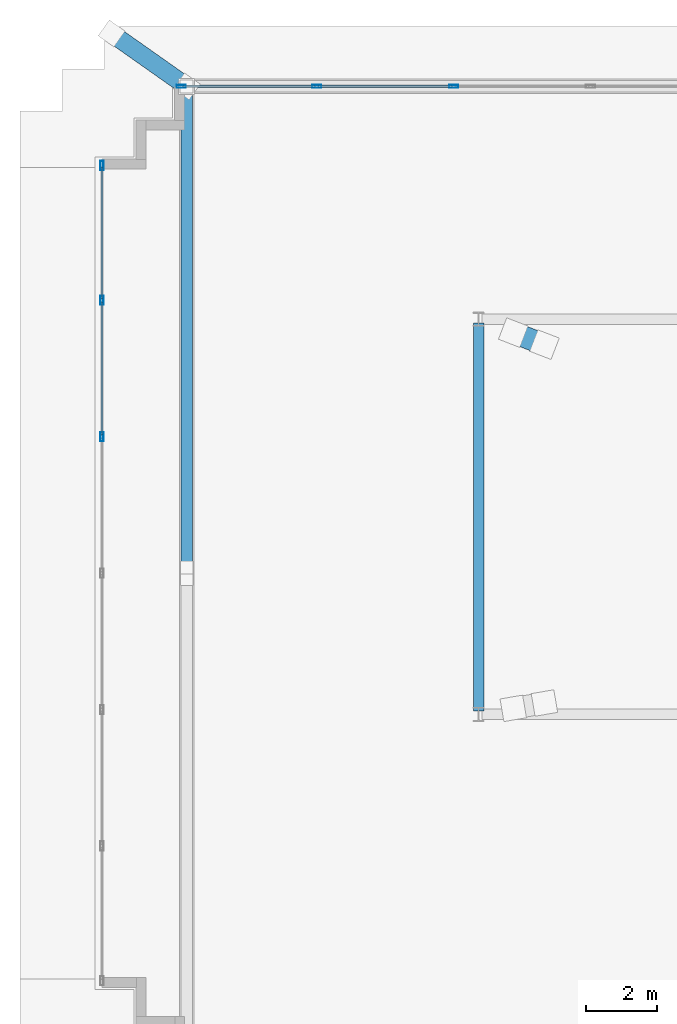
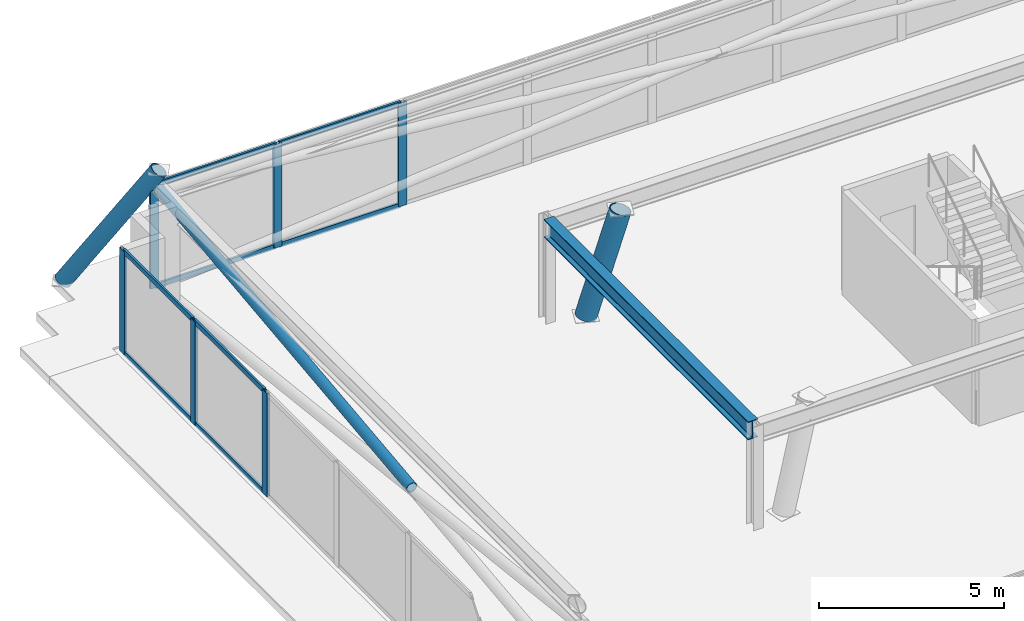
# One storey, part 9 of 22: 17 members, 1 beam, 2 elements without a shape of their own.
"""IFC4 building model written with IfcOpenShell, lengths in metres."""

from ifc_helpers import new_model, si_unit, direction, frame, origin, origin_2d, place, context, subcontext, project, spatial, hollow_rectangle, hollow_circle, i_section, extrude, material, layer, layer_set, material_profile, profile_set, type_object, element, aggregate, save


model = new_model("IFC4")

# Units and contexts
model_context = context("Model", 3, precision=1e-05, world=origin(), true_north=direction((0.0, 1.0)))
body_context = subcontext(model_context, "Body", "Model", "MODEL_VIEW")
ifc_project = project(units=[si_unit("LENGTHUNIT", "METRE"), si_unit("AREAUNIT", "SQUARE_METRE"), si_unit("VOLUMEUNIT", "CUBIC_METRE"), si_unit("PLANEANGLEUNIT", "RADIAN"), si_unit("MASSUNIT", "GRAM", prefix="KILO")], contexts=[model_context])

# Site, building, storey
site_placement = place(None, origin())
site = spatial("IfcSite", under=ifc_project, at=site_placement, CompositionType="ELEMENT")
building_placement = place(site_placement, origin())
building = spatial("IfcBuilding", under=site, at=building_placement, Name="Qobustan Lattice House", CompositionType="ELEMENT")
storey_placement = place(building_placement, frame((0.0, 0.0, 274.0)))
storey = spatial("IfcBuildingStorey", under=building, at=storey_placement, Name="L77", CompositionType="ELEMENT", Elevation=274.0)

# Beam
ifc_material_1 = material(Name="Steel S355", Category="steel")
ifc_material_profile_1 = material_profile(ifc_material_1, i_section(OverallWidth=0.300048828125, OverallDepth=0.60009765625, WebThickness=0.015380859375, FlangeThickness=0.030029296875, FilletRadius=0.027099609375, at=origin_2d()), Name="HEB600")
ifc_profile_set_1 = profile_set([ifc_material_profile_1], Name="Steel S355")
beam_type = type_object("IfcBeamType", Name="BM-POD-HEB600", PredefinedType="USERDEFINED", material=ifc_profile_set_1)
beam_placement = place(storey_placement, frame((-9.199951171875, 5.5, 3.10009765625), z_axis=(0.0, -1.0, 0.0), x_axis=(1.0, 0.0, 0.0)))
element("IfcBeam", 1, at=beam_placement, inside=storey, type_object=beam_type, Name="L77 crown support ring girder 4", ObjectType="GIRDER", PredefinedType="USERDEFINED", context=body_context, shape_type="SweptSolid", body=[
    extrude(i_section(OverallWidth=0.300048828125, OverallDepth=0.60009765625, WebThickness=0.015380859375, FlangeThickness=0.030029296875, FilletRadius=0.027099609375, at=origin_2d()), origin(), (0.0, 0.0, 1.0), 11.0),
])

# Curtain wall, members
ifc_material_2 = material(Name="Anodised aluminium and low-E glazing", Category="aluminium")
ifc_layer = layer(ifc_material_2, 0.219970703125)
ifc_layer_set = layer_set([ifc_layer], Name="Anodised aluminium and low-E glazing")
curtain_wall_type = type_object("IfcCurtainWallType", Name="CW-CRN-01", PredefinedType="USERDEFINED", material=ifc_layer_set)
curtain_wall_1_placement = place(storey_placement, origin())
curtain_wall_1 = element("IfcCurtainWall", 2, at=curtain_wall_1_placement, inside=storey, type_object=curtain_wall_type, Name="L77 glass-point crown faceted curtain wall 5", ObjectType="CURTAIN WALL", PredefinedType="USERDEFINED")
ifc_material_3 = material(Name="Anodised aluminium EN AW-6063 T6", Category="aluminium")
ifc_material_profile_2 = material_profile(ifc_material_3, hollow_rectangle(XDim=0.090087890625, YDim=0.260009765625, WallThickness=0.006103515625, at=origin_2d()), Name="CWM-CROWN-260x90")
ifc_profile_set_2 = profile_set([ifc_material_profile_2], Name="Anodised aluminium EN AW-6063 T6")
member_type_1 = type_object("IfcMemberType", Name="CWM-CRN-260", PredefinedType="MULLION", material=ifc_profile_set_2)
member_1_placement = place(storey_placement, frame((-19.87353515625, 2.26708984375, 0.0), z_axis=(0.0, 0.0, 1.0), x_axis=(-1.0, 0.0, 0.0)))
member_1 = element("IfcMember", 3, at=member_1_placement, type_object=member_type_1, Name="CW-CR mullion 5", PredefinedType="MULLION", context=body_context, shape_type="SweptSolid", body=[
    extrude(hollow_rectangle(XDim=0.090087890625, YDim=0.260009765625, WallThickness=0.006103515625, at=origin_2d()), origin(), (0.0, 0.0, 1.0), 3.39990234375),
])
member_2_placement = place(storey_placement, frame((-19.87353515625, 6.13427734375, 0.0), z_axis=(0.0, 0.0, 1.0), x_axis=(-1.0, 0.0, 0.0)))
member_2 = element("IfcMember", 4, at=member_2_placement, type_object=member_type_1, Name="CW-CR mullion 6", PredefinedType="MULLION", context=body_context, shape_type="SweptSolid", body=[
    extrude(hollow_rectangle(XDim=0.090087890625, YDim=0.260009765625, WallThickness=0.006103515625, at=origin_2d()), origin(), (0.0, 0.0, 1.0), 3.39990234375),
])
member_3_placement = place(storey_placement, frame((-19.87353515625, 9.95654296875, 0.0), z_axis=(0.0, 0.0, 1.0), x_axis=(-1.0, 0.0, 0.0)))
member_3 = element("IfcMember", 5, at=member_3_placement, type_object=member_type_1, Name="CW-CR mullion 7", PredefinedType="MULLION", context=body_context, shape_type="SweptSolid", body=[
    extrude(hollow_rectangle(XDim=0.090087890625, YDim=0.260009765625, WallThickness=0.006103515625, at=origin_2d()), origin(), (0.0, 0.0, 1.0), 3.39990234375),
])

curtain_wall_2_placement = place(storey_placement, origin())
curtain_wall_2 = element("IfcCurtainWall", 6, at=curtain_wall_2_placement, inside=storey, type_object=curtain_wall_type, Name="L77 glass-point crown faceted curtain wall 10", ObjectType="CURTAIN WALL", PredefinedType="USERDEFINED")
member_4_placement = place(storey_placement, frame((-17.62841796875, 12.201416015625, 0.0), z_axis=(0.0, 0.0, 1.0), x_axis=(0.0, 1.0, 0.0)))
member_4 = element("IfcMember", 7, at=member_4_placement, type_object=member_type_1, Name="CW-CR mullion 1", PredefinedType="MULLION", context=body_context, shape_type="SweptSolid", body=[
    extrude(hollow_rectangle(XDim=0.090087890625, YDim=0.260009765625, WallThickness=0.006103515625, at=origin_2d()), origin(), (0.0, 0.0, 1.0), 3.39990234375),
])
member_5_placement = place(storey_placement, frame((-13.79052734375, 12.201416015625, 0.0), z_axis=(0.0, 0.0, 1.0), x_axis=(0.0, 1.0, 0.0)))
member_5 = element("IfcMember", 8, at=member_5_placement, type_object=member_type_1, Name="CW-CR mullion 2", PredefinedType="MULLION", context=body_context, shape_type="SweptSolid", body=[
    extrude(hollow_rectangle(XDim=0.090087890625, YDim=0.260009765625, WallThickness=0.006103515625, at=origin_2d()), origin(), (0.0, 0.0, 1.0), 3.39990234375),
])
member_6_placement = place(storey_placement, frame((-9.907470703125, 12.201416015625, 0.0), z_axis=(0.0, 0.0, 1.0), x_axis=(0.0, 1.0, 0.0)))
member_6 = element("IfcMember", 9, at=member_6_placement, type_object=member_type_1, Name="CW-CR mullion 3", PredefinedType="MULLION", context=body_context, shape_type="SweptSolid", body=[
    extrude(hollow_rectangle(XDim=0.090087890625, YDim=0.260009765625, WallThickness=0.006103515625, at=origin_2d()), origin(), (0.0, 0.0, 1.0), 3.39990234375),
])

# Member
ifc_material_4 = material(Name="Anodised aluminium EN AW-6063 T6", Category="aluminium")
ifc_material_profile_3 = material_profile(ifc_material_4, hollow_rectangle(XDim=0.06494140625, YDim=0.159912109375, WallThickness=0.00390625, at=origin_2d()), Name="CWT-160x65")
ifc_profile_set_3 = profile_set([ifc_material_profile_3], Name="Anodised aluminium EN AW-6063 T6")
member_type_2 = type_object("IfcMemberType", Name="CWT-HOR-160", PredefinedType="USERDEFINED", material=ifc_profile_set_3)
member_7_placement = place(storey_placement, frame((-19.87353515625, 2.312255859375, 0.032470703125), z_axis=(0.0, 1.0, 0.0), x_axis=(-1.0, 0.0, 0.0)))
member_7 = element("IfcMember", 10, at=member_7_placement, type_object=member_type_2, Name="CW-CR transom 5.1", ObjectType="TRANSOM", PredefinedType="USERDEFINED", context=body_context, shape_type="SweptSolid", body=[
    extrude(hollow_rectangle(XDim=0.06494140625, YDim=0.159912109375, WallThickness=0.00390625, at=origin_2d()), origin(), (0.0, 0.0, 1.0), 3.777099609375),
])

member_8_placement = place(storey_placement, frame((-19.87353515625, 2.312255859375, 3.367431640625), z_axis=(0.0, 1.0, 0.0), x_axis=(-1.0, 0.0, 0.0)))
member_8 = element("IfcMember", 11, at=member_8_placement, type_object=member_type_2, Name="CW-CR transom 5.2", ObjectType="TRANSOM", PredefinedType="USERDEFINED", context=body_context, shape_type="SweptSolid", body=[
    extrude(hollow_rectangle(XDim=0.06494140625, YDim=0.159912109375, WallThickness=0.00390625, at=origin_2d()), origin(), (0.0, 0.0, 1.0), 3.777099609375),
])

member_9_placement = place(storey_placement, frame((-19.87353515625, 6.179443359375, 0.032470703125), z_axis=(0.0, 1.0, 0.0), x_axis=(-1.0, 0.0, 0.0)))
member_9 = element("IfcMember", 12, at=member_9_placement, type_object=member_type_2, Name="CW-CR transom 6.1", ObjectType="TRANSOM", PredefinedType="USERDEFINED", context=body_context, shape_type="SweptSolid", body=[
    extrude(hollow_rectangle(XDim=0.06494140625, YDim=0.159912109375, WallThickness=0.00390625, at=origin_2d()), origin(), (0.0, 0.0, 1.0), 3.732177734375),
])

member_10_placement = place(storey_placement, frame((-19.87353515625, 6.179443359375, 3.367431640625), z_axis=(0.0, 1.0, 0.0), x_axis=(-1.0, 0.0, 0.0)))
member_10 = element("IfcMember", 13, at=member_10_placement, type_object=member_type_2, Name="CW-CR transom 6.2", ObjectType="TRANSOM", PredefinedType="USERDEFINED", context=body_context, shape_type="SweptSolid", body=[
    extrude(hollow_rectangle(XDim=0.06494140625, YDim=0.159912109375, WallThickness=0.00390625, at=origin_2d()), origin(), (0.0, 0.0, 1.0), 3.732177734375),
])

aggregate(curtain_wall_1, [member_1, member_2, member_3, member_7, member_8, member_9, member_10])

member_11_placement = place(storey_placement, frame((-17.58349609375, 12.201416015625, 0.032470703125), z_axis=(1.0, 0.0, 0.0), x_axis=(0.0, 1.0, 0.0)))
member_11 = element("IfcMember", 14, at=member_11_placement, type_object=member_type_2, Name="CW-CR transom 1.1", ObjectType="TRANSOM", PredefinedType="USERDEFINED", context=body_context, shape_type="SweptSolid", body=[
    extrude(hollow_rectangle(XDim=0.06494140625, YDim=0.159912109375, WallThickness=0.00390625, at=origin_2d()), origin(), (0.0, 0.0, 1.0), 3.748046875),
])

member_12_placement = place(storey_placement, frame((-17.58349609375, 12.201416015625, 3.367431640625), z_axis=(1.0, 0.0, 0.0), x_axis=(0.0, 1.0, 0.0)))
member_12 = element("IfcMember", 15, at=member_12_placement, type_object=member_type_2, Name="CW-CR transom 1.2", ObjectType="TRANSOM", PredefinedType="USERDEFINED", context=body_context, shape_type="SweptSolid", body=[
    extrude(hollow_rectangle(XDim=0.06494140625, YDim=0.159912109375, WallThickness=0.00390625, at=origin_2d()), origin(), (0.0, 0.0, 1.0), 3.748046875),
])

member_13_placement = place(storey_placement, frame((-13.74560546875, 12.201416015625, 0.032470703125), z_axis=(1.0, 0.0, 0.0), x_axis=(0.0, 1.0, 0.0)))
member_13 = element("IfcMember", 16, at=member_13_placement, type_object=member_type_2, Name="CW-CR transom 2.1", ObjectType="TRANSOM", PredefinedType="USERDEFINED", context=body_context, shape_type="SweptSolid", body=[
    extrude(hollow_rectangle(XDim=0.06494140625, YDim=0.159912109375, WallThickness=0.00390625, at=origin_2d()), origin(), (0.0, 0.0, 1.0), 3.793212890625),
])

member_14_placement = place(storey_placement, frame((-13.74560546875, 12.201416015625, 3.367431640625), z_axis=(1.0, 0.0, 0.0), x_axis=(0.0, 1.0, 0.0)))
member_14 = element("IfcMember", 17, at=member_14_placement, type_object=member_type_2, Name="CW-CR transom 2.2", ObjectType="TRANSOM", PredefinedType="USERDEFINED", context=body_context, shape_type="SweptSolid", body=[
    extrude(hollow_rectangle(XDim=0.06494140625, YDim=0.159912109375, WallThickness=0.00390625, at=origin_2d()), origin(), (0.0, 0.0, 1.0), 3.793212890625),
])

aggregate(curtain_wall_2, [member_4, member_5, member_6, member_11, member_12, member_13, member_14])

# Members
ifc_material_5 = material(Name="Steel S355", Category="steel")
ifc_material_profile_4 = material_profile(ifc_material_5, hollow_circle(Radius=0.161865234375, WallThickness=0.012451171875, at=origin_2d()), Name="CHS323.9x12.5")
ifc_profile_set_4 = profile_set([ifc_material_profile_4], Name="Steel S355")
member_type_3 = type_object("IfcMemberType", Name="MEM-CBR-CHS324", PredefinedType="BRACE", material=ifc_profile_set_4)
member_15_placement = place(storey_placement, frame((-17.473388671875, -1.43310546875, 1.61669921875), z_axis=(0.0, 0.993491495241, 0.113906316257), x_axis=(-1.0, 0.0, 0.0)))
element("IfcMember", 18, at=member_15_placement, inside=storey, type_object=member_type_3, Name="L77 crown diagrid split brace 4B upper", PredefinedType="BRACE", context=body_context, shape_type="SweptSolid", body=[
    extrude(hollow_circle(Radius=0.161865234375, WallThickness=0.012451171875, at=origin_2d()), origin(), (0.0, 0.0, 1.0), 13.723876953125),
])
ifc_material_6 = material(Name="Steel S355", Category="steel")
ifc_material_profile_5 = material_profile(ifc_material_6, hollow_circle(Radius=0.304931640625, WallThickness=0.02490234375, at=origin_2d()), Name="CHS610x25")
ifc_profile_set_5 = profile_set([ifc_material_profile_5], Name="Steel S355")
member_type_4 = type_object("IfcMemberType", Name="MEM-SPR-CHS610", PredefinedType="USERDEFINED", material=ifc_profile_set_5)
member_16_placement = place(storey_placement, frame((-8.21484375, 5.219970703125, 0.0), z_axis=(0.249829949354, -0.096375829258, 0.963481549351), x_axis=(0.359913837202, 0.9329855464, 0.0)))
element("IfcMember", 19, at=member_16_placement, inside=storey, type_object=member_type_4, Name="L77 crown spire leg SL4", ObjectType="CROWN FRAME", PredefinedType="USERDEFINED", context=body_context, shape_type="SweptSolid", body=[
    extrude(hollow_circle(Radius=0.304931640625, WallThickness=0.02490234375, at=origin_2d()), origin(), (0.0, 0.0, 1.0), 3.52880859375),
])
ifc_material_7 = material(Name="Steel S355", Category="steel")
ifc_material_profile_6 = material_profile(ifc_material_7, hollow_circle(Radius=0.25390625, WallThickness=0.02001953125, at=origin_2d()), Name="CHS508x20")
ifc_profile_set_6 = profile_set([ifc_material_profile_6], Name="Steel S355")
member_type_5 = type_object("IfcMemberType", Name="MEM-STR-CHS508", PredefinedType="STRUT", material=ifc_profile_set_6)
member_17_placement = place(storey_placement, frame((-19.60009765625, 13.699951171875, 0.0), z_axis=(0.461795081083, -0.325392975283, 0.825145268862), x_axis=(0.575997715055, 0.817451302679, 0.0)))
element("IfcMember", 20, at=member_17_placement, inside=storey, type_object=member_type_5, Name="L77 crown corner raking strut 4", PredefinedType="STRUT", context=body_context, shape_type="SweptSolid", body=[
    extrude(hollow_circle(Radius=0.25390625, WallThickness=0.02001953125, at=origin_2d()), origin(), (0.0, 0.0, 1.0), 4.605224609375),
])

save(model, "model.ifc")
